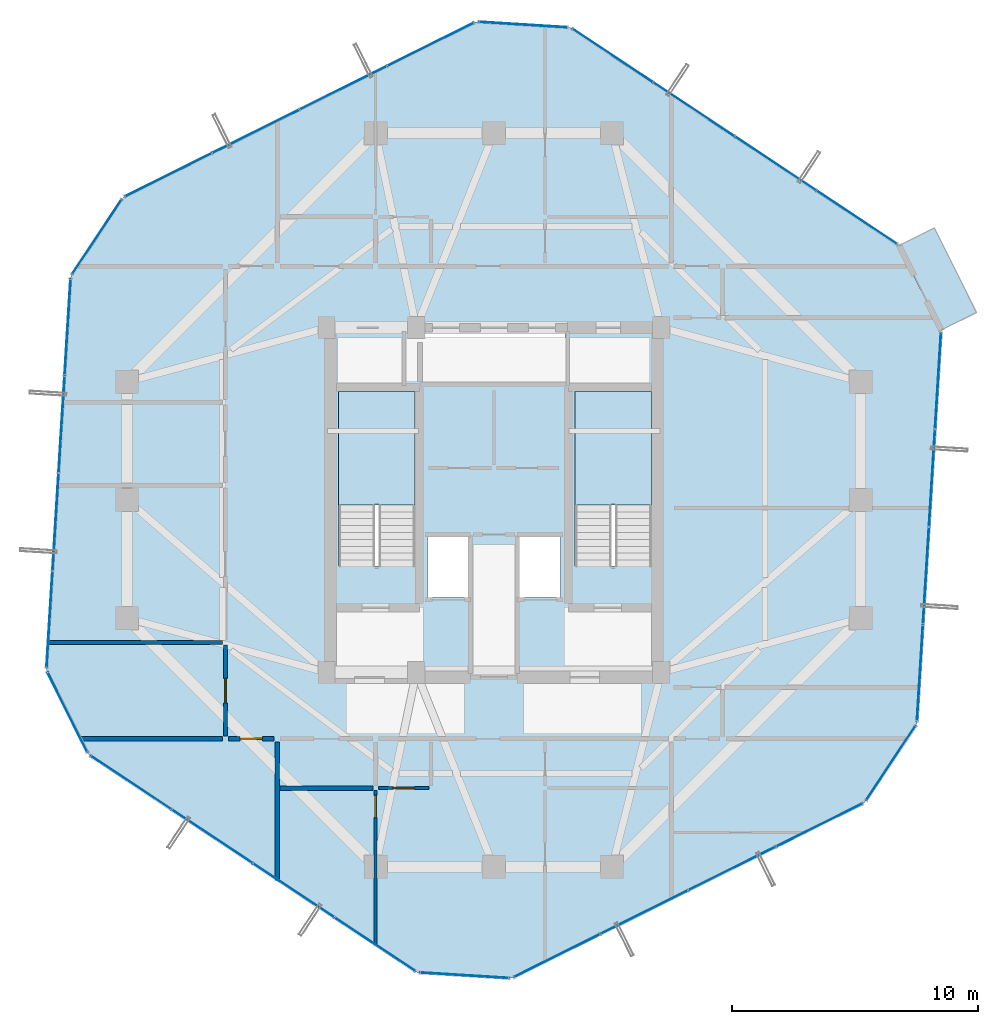
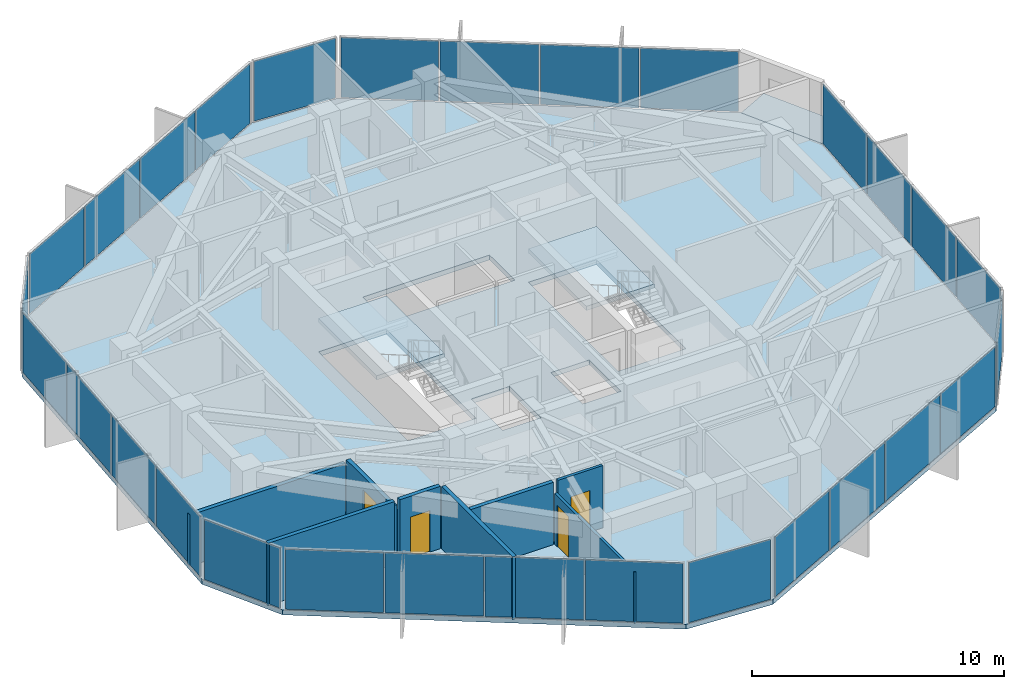
# One storey, part 24 of 29: 29 plates, 8 walls, 4 doors, 4 slabs, 4 openings, 13 elements without a shape of their own.
"""IFC4 building model written with IfcOpenShell, lengths in metres."""

import ifcopenshell
import ifcopenshell.guid

model = None  # the IFC model being written
_history = None  # IfcOwnerHistory: only IFC2X3 demands one
_inside = {}  # id of a spatial element -> (the spatial element, [elements in it])
_under = {}  # id of a project, library or spatial element -> (it, [spatial elements below it])
_declared = {}  # id of a project -> (the project, [libraries it declares])
_typed = {}  # id of a type object -> (the type object, [elements of that type])
_made_of = {}  # id of a material, layer set ... -> (it, [elements and type objects made of it])


def new_model(schema):
    """Start an empty IFC model of exactly this schema.

    Asked for "IFC4X3", IfcOpenShell would pick the latest addendum, in which some entities
    have other attributes; the version numbers below select the first issue.
    IFC2X3 requires an IfcOwnerHistory on every rooted entity: one is made here for all.
    """
    global model, _history
    if schema == "IFC4X3":
        model = ifcopenshell.file(schema_version=(4, 3, 0, 0))
    else:
        model = ifcopenshell.file(schema=schema)
    _inside.clear()
    _under.clear()
    _declared.clear()
    _typed.clear()
    _made_of.clear()
    _history = None
    if model.schema == "IFC2X3":
        org = make("IfcOrganization", Name="unknown")
        user = make(
            "IfcPersonAndOrganization",
            ThePerson=make("IfcPerson", FamilyName="unknown"),
            TheOrganization=org,
        )
        app = make(
            "IfcApplication",
            ApplicationDeveloper=org,
            Version="unknown",
            ApplicationFullName="unknown",
            ApplicationIdentifier="unknown",
        )
        _history = make(
            "IfcOwnerHistory",
            OwningUser=user,
            OwningApplication=app,
            ChangeAction="ADDED",
            CreationDate=0,
        )
    return model


def make(cls, **values):
    """One entity of the class cls with the attributes given. An attribute that is None is left unset."""
    return model.create_entity(
        cls, **{name: value for name, value in values.items() if value is not None}
    )


def rooted(cls, **values):
    """An entity with a GlobalId (a new one), such as an element, a storey or a relation."""
    return make(cls, GlobalId=ifcopenshell.guid.new(), OwnerHistory=_history, **values)


def si_unit(unit_type, name, prefix=None):
    """IfcSIUnit, for example si_unit("LENGTHUNIT", "METRE", prefix="MILLI")."""
    return make("IfcSIUnit", UnitType=unit_type, Prefix=prefix, Name=name)


def assignment(units):
    """IfcUnitAssignment: the units of a project."""
    return None if units is None else make("IfcUnitAssignment", Units=units)


def point(xyz):
    """IfcCartesianPoint."""
    return None if xyz is None else make("IfcCartesianPoint", Coordinates=xyz)


def direction(xyz):
    """IfcDirection."""
    return None if xyz is None else make("IfcDirection", DirectionRatios=xyz)


def frame(location, z_axis=None, x_axis=None):
    """IfcAxis2Placement3D, a coordinate frame: its origin and axes. An axis left out is left unset."""
    return make(
        "IfcAxis2Placement3D",
        Location=point(location),
        Axis=direction(z_axis),
        RefDirection=direction(x_axis),
    )


def frame_2d(location, x_axis=None):
    """IfcAxis2Placement2D, a coordinate frame in the plane: its origin and x axis."""
    return make(
        "IfcAxis2Placement2D", Location=point(location), RefDirection=direction(x_axis)
    )


def origin():
    """The frame at (0, 0, 0) with its axes left unset."""
    return frame((0.0, 0.0, 0.0))


def origin_2d():
    """The frame at (0, 0) in the plane with its x axis left unset."""
    return frame_2d((0.0, 0.0))


def place(relative_to, where):
    """IfcLocalPlacement: puts the frame where relative to a parent placement (None: the world)."""
    return make(
        "IfcLocalPlacement", PlacementRelTo=relative_to, RelativePlacement=where
    )


def context(
    kind, dimensions, precision=None, world=None, true_north=None, identifier=None
):
    """IfcGeometricRepresentationContext, for example the 3D "Model" context."""
    return make(
        "IfcGeometricRepresentationContext",
        ContextIdentifier=identifier,
        ContextType=kind,
        CoordinateSpaceDimension=dimensions,
        Precision=precision,
        WorldCoordinateSystem=world,
        TrueNorth=true_north,
    )


def subcontext(parent, identifier, kind, view, scale=None):
    """IfcGeometricRepresentationSubContext, for example "Body" below "Model"."""
    return make(
        "IfcGeometricRepresentationSubContext",
        ContextIdentifier=identifier,
        ContextType=kind,
        ParentContext=parent,
        TargetScale=scale,
        TargetView=view,
    )


def project(units=None, contexts=None):
    """IfcProject with its units and contexts."""
    return rooted(
        "IfcProject",
        Name="project",
        RepresentationContexts=contexts,
        UnitsInContext=assignment(units),
    )


def spatial(cls, under=None, at=None, **own):
    """A site, building, storey or space (cls), placed at a placement, below another one or the project."""
    s = rooted(cls, ObjectPlacement=at, **own)
    if under is not None:
        _under.setdefault(under.id(), (under, []))[1].append(s)
    return s


def polyline(points):
    """IfcPolyline through the points."""
    return make("IfcPolyline", Points=[point(p) for p in points])


def profile(cls, at=None, kind="AREA", **sizes):
    """A parametric profile (cls). Its sizes go by their IFC names, for example OverallWidth=200.0."""
    return make(cls, ProfileType=kind, Position=at, **sizes)


def rectangle(**sizes):
    """IfcRectangleProfileDef."""
    return profile("IfcRectangleProfileDef", **sizes)


def outline(outer, holes=None, kind="AREA"):
    """IfcArbitraryClosedProfileDef: a profile drawn as a closed curve; with holes, ...WithVoids."""
    if holes is None:
        return make("IfcArbitraryClosedProfileDef", ProfileType=kind, OuterCurve=outer)
    return make(
        "IfcArbitraryProfileDefWithVoids",
        ProfileType=kind,
        OuterCurve=outer,
        InnerCurves=holes,
    )


def extrude(swept, where, along, depth):
    """IfcExtrudedAreaSolid: the profile swept, set in the frame where, extruded along a direction by depth."""
    return make(
        "IfcExtrudedAreaSolid",
        SweptArea=swept,
        Position=where,
        ExtrudedDirection=direction(along),
        Depth=depth,
    )


def shape(context_of_items, identifier, shape_type, items):
    """IfcShapeRepresentation: the items that make up one representation, for example the "Body"."""
    return make(
        "IfcShapeRepresentation",
        ContextOfItems=context_of_items,
        RepresentationIdentifier=identifier,
        RepresentationType=shape_type,
        Items=items,
    )


def source(mapping_origin, context_of_items, identifier, shape_type, items):
    """IfcRepresentationMap: a shape defined once, which mapped items show again and again."""
    return make(
        "IfcRepresentationMap",
        MappingOrigin=mapping_origin,
        MappedRepresentation=shape(context_of_items, identifier, shape_type, items),
    )


def transform(
    local_origin,
    x_axis=None,
    y_axis=None,
    z_axis=None,
    scale=None,
    scale2=None,
    scale3=None,
    uniform=True,
):
    """IfcCartesianTransformationOperator3D, or its non-uniform kind. x_axis, y_axis, z_axis: its Axis1, 2, 3."""
    if uniform:
        return make(
            "IfcCartesianTransformationOperator3D",
            Axis1=direction(x_axis),
            Axis2=direction(y_axis),
            LocalOrigin=point(local_origin),
            Scale=scale,
            Axis3=direction(z_axis),
        )
    return make(
        "IfcCartesianTransformationOperator3DnonUniform",
        Axis1=direction(x_axis),
        Axis2=direction(y_axis),
        LocalOrigin=point(local_origin),
        Scale=scale,
        Axis3=direction(z_axis),
        Scale2=scale2,
        Scale3=scale3,
    )


def mapped(mapping_source, mapping_target):
    """IfcMappedItem: shows the shape of a source again, moved by a transform."""
    return make(
        "IfcMappedItem", MappingSource=mapping_source, MappingTarget=mapping_target
    )


def material(Name=None, Category=None):
    """IfcMaterial."""
    return make("IfcMaterial", Name=Name, Category=Category)


def layer(
    of_material, thickness, ventilated=None, Name=None, Category=None, Priority=None
):
    """IfcMaterialLayer: one layer of a wall or slab, of a material (None: an air gap)."""
    return make(
        "IfcMaterialLayer",
        Material=of_material,
        LayerThickness=thickness,
        IsVentilated=ventilated,
        Name=Name,
        Category=Category,
        Priority=Priority,
    )


def layer_set(layers, Name=None):
    """IfcMaterialLayerSet."""
    return make("IfcMaterialLayerSet", MaterialLayers=layers, LayerSetName=Name)


def made_of(thing, what):
    """Note that an element or type object is made of a material, layer set ...; save() writes the relation."""
    if what is not None:
        _made_of.setdefault(what.id(), (what, []))[1].append(thing)
    return thing


def type_object(cls, material=None, **own):
    """A type object (cls), such as IfcWallType, which elements share."""
    return made_of(rooted(cls, **own), material)


def element(
    cls,
    number,
    at=None,
    inside=None,
    cuts=None,
    type_object=None,
    material=None,
    context=None,
    identifier="Body",
    shape_type=None,
    held_by="IfcProductDefinitionShape",
    body=None,
    shapes=None,
    **own,
):
    """One element of the class cls, such as IfcWall. Its Tag is "e" and its number.

    at: its placement. inside: the storey or other place that contains it. cuts: it is an
    opening in that element (IfcRelVoidsElement). A single representation is given by context,
    identifier, shape_type and body (its items); several are given by shapes. held_by: the class
    of the entity that holds the representations. save() writes the other relations.
    """
    e = rooted(cls, Tag="e%d" % number, ObjectPlacement=at, **own)
    if body is not None:
        shapes = [shape(context, identifier, shape_type, body)]
    if shapes is not None:
        e.Representation = make(held_by, Representations=shapes)
    if inside is not None:
        _inside.setdefault(inside.id(), (inside, []))[1].append(e)
    if cuts is not None:
        rooted(
            "IfcRelVoidsElement", RelatingBuildingElement=cuts, RelatedOpeningElement=e
        )
    if type_object is not None:
        _typed.setdefault(type_object.id(), (type_object, []))[1].append(e)
    return made_of(e, material)


def fill(opening, filler):
    """IfcRelFillsElement: the door or window that sits in an opening."""
    return rooted(
        "IfcRelFillsElement",
        RelatingOpeningElement=opening,
        RelatedBuildingElement=filler,
    )


def aggregate(whole, parts):
    """IfcRelAggregates: a whole, such as a stair, and the parts it consists of."""
    return rooted("IfcRelAggregates", RelatingObject=whole, RelatedObjects=parts)


def save(model, path):
    """Write the relations noted so far, then the file.

    IfcRelAggregates (storeys below a building ...), IfcRelContainedInSpatialStructure (elements
    in a storey), IfcRelDefinesByType, IfcRelAssociatesMaterial and IfcRelDeclares: one each for
    every whole, place, type object, material and project.
    """
    for whole, parts in _under.values():
        aggregate(whole, parts)
    for where, things in _inside.values():
        rooted(
            "IfcRelContainedInSpatialStructure",
            RelatedElements=things,
            RelatingStructure=where,
        )
    for kind, things in _typed.values():
        rooted("IfcRelDefinesByType", RelatedObjects=things, RelatingType=kind)
    for what, things in _made_of.values():
        rooted("IfcRelAssociatesMaterial", RelatedObjects=things, RelatingMaterial=what)
    for by, libraries in _declared.values():
        rooted("IfcRelDeclares", RelatingContext=by, RelatedDefinitions=libraries)
    model.write(path)


model = new_model("IFC4")

# Units and contexts
model_context = context("Model", 3, precision=1e-05, world=origin(), true_north=direction((0.0, 1.0)))
body_context = subcontext(model_context, "Body", "Model", "MODEL_VIEW")
ifc_project = project(units=[si_unit("LENGTHUNIT", "METRE"), si_unit("AREAUNIT", "SQUARE_METRE"), si_unit("VOLUMEUNIT", "CUBIC_METRE"), si_unit("PLANEANGLEUNIT", "RADIAN"), si_unit("MASSUNIT", "GRAM", prefix="KILO")], contexts=[model_context])

# Site, building, storey
site_placement = place(None, origin())
site = spatial("IfcSite", under=ifc_project, at=site_placement, CompositionType="ELEMENT")
building_placement = place(site_placement, origin())
building = spatial("IfcBuilding", under=site, at=building_placement, Name="Veraguas Prism Commons", CompositionType="ELEMENT")
storey_placement = place(building_placement, frame((0.0, 0.0, 218.89990234375)))
storey = spatial("IfcBuildingStorey", under=building, at=storey_placement, Name="L62", CompositionType="ELEMENT", Elevation=218.89990234375)

# Stair, slab
ifc_material_1 = material(Name="Precast concrete C45/55", Category="concrete")
stair_type = type_object("IfcStairType", Name="Dogleg Core Stair 1480W 20R 05", PredefinedType="HALF_TURN_STAIR", material=ifc_material_1)
stair_1_placement = place(storey_placement, origin())
stair_1 = element("IfcStair", 1, at=stair_1_placement, inside=storey, type_object=stair_type, Name="Protected Exit Stair ST-01 L62", PredefinedType="HALF_TURN_STAIR")
ifc_layer_1 = layer(ifc_material_1, 0.199951171875, Name="Precast Stair and Ramp Landing Slab 200", Category="concrete")
ifc_layer_set_1 = layer_set([ifc_layer_1], Name="Precast concrete C45/55")
slab_type_1 = type_object("IfcSlabType", Name="Precast Stair and Ramp Landing Slab 200", PredefinedType="LANDING", material=ifc_layer_set_1)
slab_1_placement = place(storey_placement, frame((0.0, 0.0, 1.425048828125)))
slab_1 = element("IfcSlab", 2, at=slab_1_placement, type_object=slab_type_1, Name="ST-05 Landing 1", PredefinedType="LANDING", context=body_context, shape_type="SweptSolid", body=[
    extrude(outline(polyline([(20.800048828125, 23.800048828125), (20.800048828125, 28.39990234375), (17.68994140625, 28.39990234375), (17.68994140625, 23.800048828125), (20.800048828125, 23.800048828125)])), origin(), (0.0, 0.0, 1.0), 0.199951171875),
])
aggregate(stair_1, [slab_1])

stair_2_placement = place(storey_placement, origin())
stair_2 = element("IfcStair", 3, at=stair_2_placement, inside=storey, type_object=stair_type, Name="Protected Exit Stair ST-02 L62", PredefinedType="HALF_TURN_STAIR")
slab_2_placement = place(storey_placement, frame((0.0, 0.0, 1.425048828125)))
slab_2 = element("IfcSlab", 4, at=slab_2_placement, type_object=slab_type_1, Name="ST-05 Landing 1", PredefinedType="LANDING", context=body_context, shape_type="SweptSolid", body=[
    extrude(outline(polyline([(30.39990234375, 23.800048828125), (30.39990234375, 28.39990234375), (27.2900390625, 28.39990234375), (27.2900390625, 23.800048828125), (30.39990234375, 23.800048828125)])), origin(), (0.0, 0.0, 1.0), 0.199951171875),
])
aggregate(stair_2, [slab_2])

# Slabs
ifc_material_2 = material(Name="Concrete C45/55", Category="concrete")
ifc_layer_2 = layer(ifc_material_2, 0.219970703125, Name="Recessed Loggia and Terrace Slab RC 220", Category="concrete")
ifc_layer_set_2 = layer_set([ifc_layer_2], Name="Concrete C45/55")
slab_type_2 = type_object("IfcSlabType", Name="Recessed Loggia and Terrace Slab RC 220", PredefinedType="FLOOR", material=ifc_layer_set_2)
slab_3_placement = place(storey_placement, frame((0.0, 0.0, -0.219970703125)))
element("IfcSlab", 5, at=slab_3_placement, inside=storey, type_object=slab_type_2, Name="Recessed Corner Loggia L62-C1", PredefinedType="FLOOR", context=body_context, shape_type="SweptSolid", body=[
    extrude(outline(polyline([(42.1533203125, 30.8935546875), (43.603515625, 31.615234375), (41.89501953125, 35.048095703125), (40.444580078125, 34.326171875), (42.1533203125, 30.8935546875)])), origin(), (0.0, 0.0, 1.0), 0.219970703125),
])
ifc_layer_3 = layer(ifc_material_2, 0.235107421875, Name="Tower Upper Residential Floor Slab RC 235", Category="concrete")
ifc_layer_set_3 = layer_set([ifc_layer_3], Name="Concrete C45/55")
slab_type_3 = type_object("IfcSlabType", Name="Tower Upper Residential Floor Slab RC 235", PredefinedType="FLOOR", material=ifc_layer_set_3)
slab_4_placement = place(storey_placement, frame((0.0, 0.0, -0.23486328125)))
element("IfcSlab", 6, at=slab_4_placement, inside=storey, type_object=slab_type_3, Name="Tower Floor Slab L62", PredefinedType="FLOOR", context=body_context, shape_type="SweptSolid", body=[
    extrude(outline(polyline([(42.171142578125, 30.90234375), (40.462646484375, 34.335205078125), (27.10791015625, 43.187744140625), (23.28076171875, 43.424560546875), (8.936767578125, 36.285400390625), (6.818115234375, 33.089599609375), (5.828857421875, 17.09765625), (7.537353515625, 13.664794921875), (20.89208984375, 4.812255859375), (24.71923828125, 4.575439453125), (39.063232421875, 11.714599609375), (41.181884765625, 14.910400390625), (42.171142578125, 30.90234375)]), holes=[polyline([(20.800048828125, 21.31005859375), (20.800048828125, 28.39990234375), (17.68994140625, 28.39990234375), (17.68994140625, 21.31005859375), (20.800048828125, 21.31005859375)]), polyline([(30.39990234375, 21.31005859375), (30.39990234375, 28.39990234375), (27.2900390625, 28.39990234375), (27.2900390625, 21.31005859375), (30.39990234375, 21.31005859375)]), polyline([(21.10009765625, 28.800048828125), (26.89990234375, 28.800048828125), (26.89990234375, 30.800048828125), (21.10009765625, 30.800048828125), (21.10009765625, 28.800048828125)]), polyline([(21.300048828125, 20.050048828125), (23.050048828125, 20.050048828125), (23.050048828125, 22.550048828125), (21.300048828125, 22.550048828125), (21.300048828125, 20.050048828125)]), polyline([(24.949951171875, 20.050048828125), (26.699951171875, 20.050048828125), (26.699951171875, 22.550048828125), (24.949951171875, 22.550048828125), (24.949951171875, 20.050048828125)])]), origin(), (0.0, 0.0, 1.0), 0.23486328125),
])

# Curtain wall, plates
ifc_material_3 = material(Name="Anodised aluminium EN AW-6063 T6", Category="aluminium")
ifc_layer_4 = layer(ifc_material_3, 0.14990234375, Name="Unitised Flush Curtain Wall Zone 3", Category="aluminium")
ifc_layer_set_4 = layer_set([ifc_layer_4], Name="Anodised aluminium EN AW-6063 T6")
curtain_wall_type = type_object("IfcCurtainWallType", Name="Unitised Flush Curtain Wall Zone 3", PredefinedType="NOTDEFINED", material=ifc_layer_set_4)
curtain_wall_1_placement = place(storey_placement, origin())
curtain_wall_1 = element("IfcCurtainWall", 7, at=curtain_wall_1_placement, inside=storey, type_object=curtain_wall_type, Name="Tower Facade Curtain Wall L62-F1", PredefinedType="NOTDEFINED")
ifc_material_4 = material(Name="Laminated low-e glass", Category="glass")
ifc_layer_5 = layer(ifc_material_4, 0.028076171875, Name="Unitised Double Low-E Glazed Panel 28", Category="glass")
ifc_layer_set_5 = layer_set([ifc_layer_5], Name="Laminated low-e glass")
plate_type = type_object("IfcPlateType", Name="Unitised Double Low-E Glazed Panel 28", PredefinedType="CURTAIN_PANEL", material=ifc_layer_set_5)
shared_shape_1 = source(origin(), body_context, "Body", "SweptSolid", [
    extrude(rectangle(XDim=3.885498046875, YDim=0.028076171875, at=origin_2d()), origin(), (0.0, 0.0, 1.0), 2.905029296875),
])
plate_1_placement = place(storey_placement, frame((38.7431640625, 35.474853515625, 0.05517578125), z_axis=(0.0, 0.0, 1.0), x_axis=(-0.833503187151, 0.552514648683, 0.0)))
plate_1 = element("IfcPlate", 8, at=plate_1_placement, type_object=plate_type, Name="CW-Z3 Panel 1.1", PredefinedType="CURTAIN_PANEL", context=body_context, shape_type="MappedRepresentation", body=[
    mapped(shared_shape_1, transform((0.0, 0.0, 0.0), scale=1.0)),
])
plate_2_placement = place(storey_placement, frame((28.8271484375, 42.048095703125, 0.05517578125), z_axis=(0.0, 0.0, 1.0), x_axis=(-0.833503187151, 0.552514648683, 0.0)))
plate_2 = element("IfcPlate", 9, at=plate_2_placement, type_object=plate_type, Name="CW-Z3 Panel 4.1", PredefinedType="CURTAIN_PANEL", context=body_context, shape_type="MappedRepresentation", body=[
    mapped(shared_shape_1, transform((0.0, 0.0, 0.0), scale=1.0)),
])

curtain_wall_2_placement = place(storey_placement, origin())
curtain_wall_2 = element("IfcCurtainWall", 10, at=curtain_wall_2_placement, inside=storey, type_object=curtain_wall_type, Name="Tower Facade Curtain Wall L62-F3", PredefinedType="NOTDEFINED")
plate_3_placement = place(storey_placement, frame((6.69091796875, 31.030517578125, 0.05517578125), z_axis=(0.0, 0.0, 1.0), x_axis=(-0.061745354146, -0.998091935265, 0.0)))
plate_3 = element("IfcPlate", 11, at=plate_3_placement, type_object=plate_type, Name="CW-Z3 Panel 1.1", PredefinedType="CURTAIN_PANEL", context=body_context, shape_type="MappedRepresentation", body=[
    mapped(shared_shape_1, transform((0.0, 0.0, 0.0), scale=1.0)),
])
plate_4_placement = place(storey_placement, frame((5.956298828125, 19.156494140625, 0.05517578125), z_axis=(0.0, 0.0, 1.0), x_axis=(-0.061745354146, -0.998091935265, 0.0)))
plate_4 = element("IfcPlate", 12, at=plate_4_placement, type_object=plate_type, Name="CW-Z3 Panel 4.1", PredefinedType="CURTAIN_PANEL", context=body_context, shape_type="MappedRepresentation", body=[
    mapped(shared_shape_1, transform((0.0, 0.0, 0.0), scale=1.0)),
])

curtain_wall_3_placement = place(storey_placement, origin())
curtain_wall_3 = element("IfcCurtainWall", 13, at=curtain_wall_3_placement, inside=storey, type_object=curtain_wall_type, Name="Tower Facade Curtain Wall L62-F4", PredefinedType="NOTDEFINED")
plate_5_placement = place(storey_placement, frame((9.2568359375, 12.525146484375, 0.05517578125), z_axis=(0.0, 0.0, 1.0), x_axis=(0.833503187151, -0.552514648683, 0.0)))
plate_5 = element("IfcPlate", 14, at=plate_5_placement, type_object=plate_type, Name="CW-Z3 Panel 1.1", PredefinedType="CURTAIN_PANEL", context=body_context, shape_type="MappedRepresentation", body=[
    mapped(shared_shape_1, transform((0.0, 0.0, 0.0), scale=1.0)),
])
plate_6_placement = place(storey_placement, frame((19.1728515625, 5.951904296875, 0.05517578125), z_axis=(0.0, 0.0, 1.0), x_axis=(0.833503187151, -0.552514648683, 0.0)))
plate_6 = element("IfcPlate", 15, at=plate_6_placement, type_object=plate_type, Name="CW-Z3 Panel 4.1", PredefinedType="CURTAIN_PANEL", context=body_context, shape_type="MappedRepresentation", body=[
    mapped(shared_shape_1, transform((0.0, 0.0, 0.0), scale=1.0)),
])

curtain_wall_4_placement = place(storey_placement, origin())
curtain_wall_4 = element("IfcCurtainWall", 16, at=curtain_wall_4_placement, inside=storey, type_object=curtain_wall_type, Name="Tower Facade Curtain Wall L62-F6", PredefinedType="NOTDEFINED")
plate_7_placement = place(storey_placement, frame((41.30908203125, 16.969482421875, 0.05517578125), z_axis=(0.0, 0.0, 1.0), x_axis=(0.061745354146, 0.998091935265, 0.0)))
plate_7 = element("IfcPlate", 17, at=plate_7_placement, type_object=plate_type, Name="CW-Z3 Panel 1.1", PredefinedType="CURTAIN_PANEL", context=body_context, shape_type="MappedRepresentation", body=[
    mapped(shared_shape_1, transform((0.0, 0.0, 0.0), scale=1.0)),
])
plate_8_placement = place(storey_placement, frame((42.043701171875, 28.843505859375, 0.05517578125), z_axis=(0.0, 0.0, 1.0), x_axis=(0.061745354146, 0.998091935265, 0.0)))
plate_8 = element("IfcPlate", 18, at=plate_8_placement, type_object=plate_type, Name="CW-Z3 Panel 4.1", PredefinedType="CURTAIN_PANEL", context=body_context, shape_type="MappedRepresentation", body=[
    mapped(shared_shape_1, transform((0.0, 0.0, 0.0), scale=1.0)),
])

# Plate
shared_shape_2 = source(origin(), body_context, "Body", "SweptSolid", [
    extrude(rectangle(XDim=3.91552734375, YDim=0.028076171875, at=origin_2d()), origin(), (0.0, 0.0, 1.0), 2.905029296875),
])
plate_9_placement = place(storey_placement, frame((35.442138671875, 37.6630859375, 0.05517578125), z_axis=(0.0, 0.0, 1.0), x_axis=(-0.833503187151, 0.552514648683, 0.0)))
plate_9 = element("IfcPlate", 19, at=plate_9_placement, type_object=plate_type, Name="CW-Z3 Panel 2.1", PredefinedType="CURTAIN_PANEL", context=body_context, shape_type="MappedRepresentation", body=[
    mapped(shared_shape_2, transform((0.0, 0.0, 0.0), scale=1.0)),
])

plate_10_placement = place(storey_placement, frame((32.12841796875, 39.859619140625, 0.05517578125), z_axis=(0.0, 0.0, 1.0), x_axis=(-0.833503187151, 0.552514648683, 0.0)))
plate_10 = element("IfcPlate", 20, at=plate_10_placement, type_object=plate_type, Name="CW-Z3 Panel 3.1", PredefinedType="CURTAIN_PANEL", context=body_context, shape_type="MappedRepresentation", body=[
    mapped(shared_shape_2, transform((0.0, 0.0, 0.0), scale=1.0)),
])

aggregate(curtain_wall_1, [plate_1, plate_9, plate_10, plate_2])

# Curtain wall, plates
curtain_wall_5_placement = place(storey_placement, origin())
curtain_wall_5 = element("IfcCurtainWall", 21, at=curtain_wall_5_placement, inside=storey, type_object=curtain_wall_type, Name="Tower Facade Curtain Wall L62-F2", PredefinedType="NOTDEFINED")
plate_11_placement = place(storey_placement, frame((17.888427734375, 40.74072265625, 0.05517578125), z_axis=(0.0, 0.0, 1.0), x_axis=(-0.895243315298, -0.445577609866, 0.0)))
plate_11 = element("IfcPlate", 22, at=plate_11_placement, type_object=plate_type, Name="CW-Z3 Panel 2.1", PredefinedType="CURTAIN_PANEL", context=body_context, shape_type="MappedRepresentation", body=[
    mapped(shared_shape_2, transform((0.0, 0.0, 0.0), scale=1.0)),
])
plate_12_placement = place(storey_placement, frame((14.329345703125, 38.96923828125, 0.05517578125), z_axis=(0.0, 0.0, 1.0), x_axis=(-0.895243315298, -0.445577609866, 0.0)))
plate_12 = element("IfcPlate", 23, at=plate_12_placement, type_object=plate_type, Name="CW-Z3 Panel 3.1", PredefinedType="CURTAIN_PANEL", context=body_context, shape_type="MappedRepresentation", body=[
    mapped(shared_shape_2, transform((0.0, 0.0, 0.0), scale=1.0)),
])

# Plate
plate_13_placement = place(storey_placement, frame((6.4462890625, 27.07763671875, 0.05517578125), z_axis=(0.0, 0.0, 1.0), x_axis=(-0.061745354146, -0.998091935265, 0.0)))
plate_13 = element("IfcPlate", 24, at=plate_13_placement, type_object=plate_type, Name="CW-Z3 Panel 2.1", PredefinedType="CURTAIN_PANEL", context=body_context, shape_type="MappedRepresentation", body=[
    mapped(shared_shape_2, transform((0.0, 0.0, 0.0), scale=1.0)),
])

plate_14_placement = place(storey_placement, frame((6.200927734375, 23.109619140625, 0.05517578125), z_axis=(0.0, 0.0, 1.0), x_axis=(-0.061745354146, -0.998091935265, 0.0)))
plate_14 = element("IfcPlate", 25, at=plate_14_placement, type_object=plate_type, Name="CW-Z3 Panel 3.1", PredefinedType="CURTAIN_PANEL", context=body_context, shape_type="MappedRepresentation", body=[
    mapped(shared_shape_2, transform((0.0, 0.0, 0.0), scale=1.0)),
])

aggregate(curtain_wall_2, [plate_3, plate_13, plate_14, plate_4])

plate_15_placement = place(storey_placement, frame((12.557861328125, 10.3369140625, 0.05517578125), z_axis=(0.0, 0.0, 1.0), x_axis=(0.833503187151, -0.552514648683, 0.0)))
plate_15 = element("IfcPlate", 26, at=plate_15_placement, type_object=plate_type, Name="CW-Z3 Panel 2.1", PredefinedType="CURTAIN_PANEL", context=body_context, shape_type="MappedRepresentation", body=[
    mapped(shared_shape_2, transform((0.0, 0.0, 0.0), scale=1.0)),
])

plate_16_placement = place(storey_placement, frame((15.87158203125, 8.140380859375, 0.05517578125), z_axis=(0.0, 0.0, 1.0), x_axis=(0.833503187151, -0.552514648683, 0.0)))
plate_16 = element("IfcPlate", 27, at=plate_16_placement, type_object=plate_type, Name="CW-Z3 Panel 3.1", PredefinedType="CURTAIN_PANEL", context=body_context, shape_type="MappedRepresentation", body=[
    mapped(shared_shape_2, transform((0.0, 0.0, 0.0), scale=1.0)),
])

aggregate(curtain_wall_3, [plate_5, plate_15, plate_16, plate_6])

# Curtain wall, plates
curtain_wall_6_placement = place(storey_placement, origin())
curtain_wall_6 = element("IfcCurtainWall", 28, at=curtain_wall_6_placement, inside=storey, type_object=curtain_wall_type, Name="Tower Facade Curtain Wall L62-F5", PredefinedType="NOTDEFINED")
plate_17_placement = place(storey_placement, frame((30.111572265625, 7.25927734375, 0.05517578125), z_axis=(0.0, 0.0, 1.0), x_axis=(0.895243315298, 0.445577609866, 0.0)))
plate_17 = element("IfcPlate", 29, at=plate_17_placement, type_object=plate_type, Name="CW-Z3 Panel 2.1", PredefinedType="CURTAIN_PANEL", context=body_context, shape_type="MappedRepresentation", body=[
    mapped(shared_shape_2, transform((0.0, 0.0, 0.0), scale=1.0)),
])
plate_18_placement = place(storey_placement, frame((33.670654296875, 9.03076171875, 0.05517578125), z_axis=(0.0, 0.0, 1.0), x_axis=(0.895243315298, 0.445577609866, 0.0)))
plate_18 = element("IfcPlate", 30, at=plate_18_placement, type_object=plate_type, Name="CW-Z3 Panel 3.1", PredefinedType="CURTAIN_PANEL", context=body_context, shape_type="MappedRepresentation", body=[
    mapped(shared_shape_2, transform((0.0, 0.0, 0.0), scale=1.0)),
])

# Plate
plate_19_placement = place(storey_placement, frame((41.5537109375, 20.92236328125, 0.05517578125), z_axis=(0.0, 0.0, 1.0), x_axis=(0.061745354146, 0.998091935265, 0.0)))
plate_19 = element("IfcPlate", 31, at=plate_19_placement, type_object=plate_type, Name="CW-Z3 Panel 2.1", PredefinedType="CURTAIN_PANEL", context=body_context, shape_type="MappedRepresentation", body=[
    mapped(shared_shape_2, transform((0.0, 0.0, 0.0), scale=1.0)),
])

plate_20_placement = place(storey_placement, frame((41.799072265625, 24.890380859375, 0.05517578125), z_axis=(0.0, 0.0, 1.0), x_axis=(0.061745354146, 0.998091935265, 0.0)))
plate_20 = element("IfcPlate", 32, at=plate_20_placement, type_object=plate_type, Name="CW-Z3 Panel 3.1", PredefinedType="CURTAIN_PANEL", context=body_context, shape_type="MappedRepresentation", body=[
    mapped(shared_shape_2, transform((0.0, 0.0, 0.0), scale=1.0)),
])

aggregate(curtain_wall_4, [plate_7, plate_19, plate_20, plate_8])

shared_shape_3 = source(origin(), body_context, "Body", "SweptSolid", [
    extrude(rectangle(XDim=3.8857421875, YDim=0.028076171875, at=origin_2d()), origin(), (0.0, 0.0, 1.0), 2.905029296875),
])
plate_21_placement = place(storey_placement, frame((21.43408203125, 42.50537109375, 0.05517578125), z_axis=(0.0, 0.0, 1.0), x_axis=(-0.895243315298, -0.445577609866, 0.0)))
plate_21 = element("IfcPlate", 33, at=plate_21_placement, type_object=plate_type, Name="CW-Z3 Panel 1.1", PredefinedType="CURTAIN_PANEL", context=body_context, shape_type="MappedRepresentation", body=[
    mapped(shared_shape_3, transform((0.0, 0.0, 0.0), scale=1.0)),
])

plate_22_placement = place(storey_placement, frame((10.783447265625, 37.20458984375, 0.05517578125), z_axis=(0.0, 0.0, 1.0), x_axis=(-0.895243315298, -0.445577609866, 0.0)))
plate_22 = element("IfcPlate", 34, at=plate_22_placement, type_object=plate_type, Name="CW-Z3 Panel 4.1", PredefinedType="CURTAIN_PANEL", context=body_context, shape_type="MappedRepresentation", body=[
    mapped(shared_shape_3, transform((0.0, 0.0, 0.0), scale=1.0)),
])

aggregate(curtain_wall_5, [plate_21, plate_11, plate_12, plate_22])

plate_23_placement = place(storey_placement, frame((26.56591796875, 5.49462890625, 0.05517578125), z_axis=(0.0, 0.0, 1.0), x_axis=(0.895243315298, 0.445577609866, 0.0)))
plate_23 = element("IfcPlate", 35, at=plate_23_placement, type_object=plate_type, Name="CW-Z3 Panel 1.1", PredefinedType="CURTAIN_PANEL", context=body_context, shape_type="MappedRepresentation", body=[
    mapped(shared_shape_3, transform((0.0, 0.0, 0.0), scale=1.0)),
])

plate_24_placement = place(storey_placement, frame((37.216552734375, 10.79541015625, 0.05517578125), z_axis=(0.0, 0.0, 1.0), x_axis=(0.895243315298, 0.445577609866, 0.0)))
plate_24 = element("IfcPlate", 36, at=plate_24_placement, type_object=plate_type, Name="CW-Z3 Panel 4.1", PredefinedType="CURTAIN_PANEL", context=body_context, shape_type="MappedRepresentation", body=[
    mapped(shared_shape_3, transform((0.0, 0.0, 0.0), scale=1.0)),
])

aggregate(curtain_wall_6, [plate_23, plate_17, plate_18, plate_24])

# Curtain wall, plate
curtain_wall_7_placement = place(storey_placement, origin())
curtain_wall_7 = element("IfcCurtainWall", 37, at=curtain_wall_7_placement, inside=storey, type_object=curtain_wall_type, Name="Chamfer Curtain Wall L62-C3", PredefinedType="NOTDEFINED")
shared_shape_4 = source(origin(), body_context, "Body", "SweptSolid", [
    extrude(rectangle(XDim=3.59423828125, YDim=0.028076171875, at=origin_2d()), origin(), (0.0, 0.0, 1.0), 2.905029296875),
])
plate_25_placement = place(storey_placement, frame((7.87744140625, 34.6875, 0.05517578125), z_axis=(0.0, 0.0, 1.0), x_axis=(-0.552511739205, -0.833505115786, 0.0)))
plate_25 = element("IfcPlate", 38, at=plate_25_placement, type_object=plate_type, Name="CW-Z3 Panel 1.1", PredefinedType="CURTAIN_PANEL", context=body_context, shape_type="MappedRepresentation", body=[
    mapped(shared_shape_4, transform((0.0, 0.0, 0.0), scale=1.0)),
])
aggregate(curtain_wall_7, [plate_25])

curtain_wall_8_placement = place(storey_placement, origin())
curtain_wall_8 = element("IfcCurtainWall", 39, at=curtain_wall_8_placement, inside=storey, type_object=curtain_wall_type, Name="Chamfer Curtain Wall L62-C6", PredefinedType="NOTDEFINED")
plate_26_placement = place(storey_placement, frame((40.12255859375, 13.3125, 0.05517578125), z_axis=(0.0, 0.0, 1.0), x_axis=(0.552511739205, 0.833505115786, 0.0)))
plate_26 = element("IfcPlate", 40, at=plate_26_placement, type_object=plate_type, Name="CW-Z3 Panel 1.1", PredefinedType="CURTAIN_PANEL", context=body_context, shape_type="MappedRepresentation", body=[
    mapped(shared_shape_4, transform((0.0, 0.0, 0.0), scale=1.0)),
])
aggregate(curtain_wall_8, [plate_26])

curtain_wall_9_placement = place(storey_placement, origin())
curtain_wall_9 = element("IfcCurtainWall", 41, at=curtain_wall_9_placement, inside=storey, type_object=curtain_wall_type, Name="Chamfer Curtain Wall L62-C2", PredefinedType="NOTDEFINED")
shared_shape_5 = source(origin(), body_context, "Body", "SweptSolid", [
    extrude(rectangle(XDim=3.594482421875, YDim=0.028076171875, at=origin_2d()), origin(), (0.0, 0.0, 1.0), 2.905029296875),
])
plate_27_placement = place(storey_placement, frame((25.1943359375, 43.30615234375, 0.05517578125), z_axis=(0.0, 0.0, 1.0), x_axis=(-0.99809107304, 0.061759290132, 0.0)))
plate_27 = element("IfcPlate", 42, at=plate_27_placement, type_object=plate_type, Name="CW-Z3 Panel 1.1", PredefinedType="CURTAIN_PANEL", context=body_context, shape_type="MappedRepresentation", body=[
    mapped(shared_shape_5, transform((0.0, 0.0, 0.0), scale=1.0)),
])
aggregate(curtain_wall_9, [plate_27])

curtain_wall_10_placement = place(storey_placement, origin())
curtain_wall_10 = element("IfcCurtainWall", 43, at=curtain_wall_10_placement, inside=storey, type_object=curtain_wall_type, Name="Chamfer Curtain Wall L62-C4", PredefinedType="NOTDEFINED")
plate_28_placement = place(storey_placement, frame((6.68310546875, 15.38134765625, 0.05517578125), z_axis=(0.0, 0.0, 1.0), x_axis=(0.445586984808, -0.895238649171, 0.0)))
plate_28 = element("IfcPlate", 44, at=plate_28_placement, type_object=plate_type, Name="CW-Z3 Panel 1.1", PredefinedType="CURTAIN_PANEL", context=body_context, shape_type="MappedRepresentation", body=[
    mapped(shared_shape_5, transform((0.0, 0.0, 0.0), scale=1.0)),
])
aggregate(curtain_wall_10, [plate_28])

curtain_wall_11_placement = place(storey_placement, origin())
curtain_wall_11 = element("IfcCurtainWall", 45, at=curtain_wall_11_placement, inside=storey, type_object=curtain_wall_type, Name="Chamfer Curtain Wall L62-C5", PredefinedType="NOTDEFINED")
plate_29_placement = place(storey_placement, frame((22.8056640625, 4.69384765625, 0.05517578125), z_axis=(0.0, 0.0, 1.0), x_axis=(0.99809107304, -0.061759290132, 0.0)))
plate_29 = element("IfcPlate", 46, at=plate_29_placement, type_object=plate_type, Name="CW-Z3 Panel 1.1", PredefinedType="CURTAIN_PANEL", context=body_context, shape_type="MappedRepresentation", body=[
    mapped(shared_shape_5, transform((0.0, 0.0, 0.0), scale=1.0)),
])
aggregate(curtain_wall_11, [plate_29])

# Walls
ifc_material_5 = material(Name="Autoclaved aerated masonry block 10 MPa", Category="masonry")
ifc_layer_6 = layer(ifc_material_5, 0.179931640625, Name="Corridor and Inter-Tenancy Partition 180", Category="masonry")
ifc_layer_set_6 = layer_set([ifc_layer_6], Name="Autoclaved aerated masonry block 10 MPa")
wall_type_1 = type_object("IfcWallType", Name="Corridor and Inter-Tenancy Partition 180", PredefinedType="PARTITIONING", material=ifc_layer_set_6)
wall_1_placement = place(storey_placement, frame((15.199951171875, 14.179931640625, 0.0), z_axis=(0.0, 0.0, 1.0), x_axis=(0.0, -1.0, 0.0)))
element("IfcWall", 47, at=wall_1_placement, inside=storey, type_object=wall_type_1, Name="WL-L62-PT001", PredefinedType="PARTITIONING", context=body_context, shape_type="SweptSolid", body=[
    extrude(rectangle(XDim=5.630615234375, YDim=0.179931640625, at=frame_2d((2.8154296875, 0.0))), origin(), (0.0, 0.0, 1.0), 3.01513671875),
])
wall_2_placement = place(storey_placement, frame((15.320068359375, 12.300048828125, 0.0), z_axis=(0.0, 0.0, 1.0), x_axis=(1.0, 0.0, 0.0)))
element("IfcWall", 48, at=wall_2_placement, inside=storey, type_object=wall_type_1, Name="WL-L62-PT005", PredefinedType="PARTITIONING", context=body_context, shape_type="SweptSolid", body=[
    extrude(rectangle(XDim=3.780029296875, YDim=0.179931640625, at=frame_2d((1.89013671875, 0.0))), origin(), (0.0, 0.0, 1.0), 3.01513671875),
])
wall_3_placement = place(storey_placement, frame((12.97998046875, 14.300048828125, 0.0), z_axis=(0.0, 0.0, 1.0), x_axis=(-1.0, 0.0, 0.0)))
element("IfcWall", 49, at=wall_3_placement, inside=storey, type_object=wall_type_1, Name="WL-L62-PT025", PredefinedType="PARTITIONING", context=body_context, shape_type="SweptSolid", body=[
    extrude(rectangle(XDim=5.792236328125, YDim=0.179931640625, at=frame_2d((2.89599609375, 0.0))), origin(), (0.0, 0.0, 1.0), 3.01513671875),
])

# Wall, opening, door
wall_4_placement = place(storey_placement, frame((13.10009765625, 14.409912109375, 0.0), z_axis=(0.0, 0.0, 1.0), x_axis=(0.0, 1.0, 0.0)))
wall_4 = element("IfcWall", 50, at=wall_4_placement, inside=storey, type_object=wall_type_1, Name="WL-L62-PT027", PredefinedType="PARTITIONING", context=body_context, shape_type="SweptSolid", body=[
    extrude(rectangle(XDim=3.692138671875, YDim=0.179931640625, at=frame_2d((1.84619140625, 0.0))), origin(), (0.0, 0.0, 1.0), 2.662109375),
])
opening_1_placement = place(wall_4_placement, frame((1.345947265625, 0.0, 0.0)))
opening_1 = element("IfcOpeningElement", 51, at=opening_1_placement, cuts=wall_4, Name="Opening DR-13", PredefinedType="OPENING", context=body_context, shape_type="SweptSolid", body=[
    extrude(rectangle(XDim=1.0, YDim=2.010009765625, at=frame_2d((0.5, 1.0048828125))), frame((0.0, 0.099853515625, 0.0), z_axis=(0.0, -1.0, 0.0), x_axis=(1.0, 0.0, 0.0)), (0.0, 0.0, 1.0), 0.199951171875),
])
ifc_material_6 = material(Name="Steel fire-rated door assembly", Category="steel")
door_type_1 = type_object("IfcDoorType", Name="Core Accessible WC and Clinic Fire Door 1000x2010", OperationType="NOTDEFINED", PredefinedType="DOOR", material=ifc_material_6)
shared_shape_6 = source(origin(), body_context, "Body", "SweptSolid", [
    extrude(rectangle(XDim=1.0, YDim=2.010009765625, at=frame_2d((0.5, 1.0048828125))), frame((0.0, 0.02490234375, 0.0), z_axis=(0.0, -1.0, 0.0), x_axis=(1.0, 0.0, 0.0)), (0.0, 0.0, 1.0), 0.050048828125),
])
door_1_placement = place(opening_1_placement, origin())
door_1 = element("IfcDoor", 52, at=door_1_placement, inside=storey, type_object=door_type_1, Name="Community Co-op Kitchen Door", OperationType="SINGLE_SWING_RIGHT", OverallHeight=2.010009765625, OverallWidth=1.0, PredefinedType="DOOR", context=body_context, shape_type="MappedRepresentation", body=[
    mapped(shared_shape_6, transform((0.0, 0.0, 0.0), scale=1.0)),
])
fill(opening_1, door_1)

# Wall
wall_5_placement = place(storey_placement, frame((12.97998046875, 18.2119140625, 0.0), z_axis=(0.0, 0.0, 1.0), x_axis=(-1.0, 0.0, 0.0)))
element("IfcWall", 53, at=wall_5_placement, inside=storey, type_object=wall_type_1, Name="WL-L62-PT029", PredefinedType="PARTITIONING", context=body_context, shape_type="SweptSolid", body=[
    extrude(rectangle(XDim=7.112060546875, YDim=0.179931640625, at=frame_2d((3.55615234375, 0.0))), origin(), (0.0, 0.0, 1.0), 2.468994140625),
])

# Wall, opening, door
wall_6_placement = place(storey_placement, frame((13.219970703125, 14.300048828125, 0.0), z_axis=(0.0, 0.0, 1.0), x_axis=(1.0, 0.0, 0.0)))
wall_6 = element("IfcWall", 54, at=wall_6_placement, inside=storey, type_object=wall_type_1, Name="WL-L62-PT041", PredefinedType="PARTITIONING", context=body_context, shape_type="SweptSolid", body=[
    extrude(rectangle(XDim=1.860107421875, YDim=0.179931640625, at=frame_2d((0.93017578125, 0.0))), origin(), (0.0, 0.0, 1.0), 3.01513671875),
])
opening_2_placement = place(wall_6_placement, frame((0.47998046875, 0.0, 0.0)))
opening_2 = element("IfcOpeningElement", 55, at=opening_2_placement, cuts=wall_6, Name="Opening DR-14", PredefinedType="OPENING", context=body_context, shape_type="SweptSolid", body=[
    extrude(rectangle(XDim=0.89990234375, YDim=2.010009765625, at=frame_2d((0.449951171875, 1.0048828125))), frame((0.0, 0.099853515625, 0.0), z_axis=(0.0, -1.0, 0.0), x_axis=(1.0, 0.0, 0.0)), (0.0, 0.0, 1.0), 0.199951171875),
])
door_type_2 = type_object("IfcDoorType", Name="Core Service Room Fire Door 900x2010", OperationType="NOTDEFINED", PredefinedType="DOOR", material=ifc_material_6)
shared_shape_7 = source(origin(), body_context, "Body", "SweptSolid", [
    extrude(rectangle(XDim=0.89990234375, YDim=2.010009765625, at=frame_2d((0.449951171875, 1.0048828125))), frame((0.0, 0.02490234375, 0.0), z_axis=(0.0, -1.0, 0.0), x_axis=(1.0, 0.0, 0.0)), (0.0, 0.0, 1.0), 0.050048828125),
])
door_2_placement = place(opening_2_placement, origin())
door_2 = element("IfcDoor", 56, at=door_2_placement, inside=storey, type_object=door_type_2, Name="Residents Corner Study Room SW Door", OperationType="SINGLE_SWING_RIGHT", OverallHeight=2.010009765625, OverallWidth=0.89990234375, PredefinedType="DOOR", context=body_context, shape_type="MappedRepresentation", body=[
    mapped(shared_shape_7, transform((0.0, 0.0, 0.0), scale=1.0)),
])
fill(opening_2, door_2)

ifc_material_7 = material(Name="Lightweight acoustic gypsum board")
ifc_layer_7 = layer(ifc_material_7, 0.125, Name="Internal Apartment Room Partition 125")
ifc_layer_set_7 = layer_set([ifc_layer_7], Name="Lightweight acoustic gypsum board")
wall_type_2 = type_object("IfcWallType", Name="Internal Apartment Room Partition 125", PredefinedType="PARTITIONING", material=ifc_layer_set_7)
wall_7_placement = place(storey_placement, frame((19.199951171875, 12.199951171875, 0.0), z_axis=(0.0, 0.0, 1.0), x_axis=(0.0, -1.0, 0.0)))
wall_7 = element("IfcWall", 57, at=wall_7_placement, inside=storey, type_object=wall_type_2, Name="WL-L62-PT007", PredefinedType="PARTITIONING", context=body_context, shape_type="SweptSolid", body=[
    extrude(rectangle(XDim=6.302001953125, YDim=0.125, at=frame_2d((3.15087890625, 0.0))), origin(), (0.0, 0.0, 1.0), 2.468994140625),
])
opening_3_placement = place(wall_7_placement, frame((0.199951171875, 0.0, 0.0)))
opening_3 = element("IfcOpeningElement", 58, at=opening_3_placement, cuts=wall_7, Name="Opening DR-02", PredefinedType="OPENING", context=body_context, shape_type="SweptSolid", body=[
    extrude(rectangle(XDim=0.89990234375, YDim=2.010009765625, at=frame_2d((0.449951171875, 1.0048828125))), frame((0.0, 0.072509765625, 0.0), z_axis=(0.0, -1.0, 0.0), x_axis=(1.0, 0.0, 0.0)), (0.0, 0.0, 1.0), 0.14501953125),
])
ifc_material_8 = material(Name="Timber solid core hardwood", Category="wood")
door_type_3 = type_object("IfcDoorType", Name="Internal Habitable Room Door 900x2010", OperationType="NOTDEFINED", PredefinedType="DOOR", material=ifc_material_8)
door_3_placement = place(opening_3_placement, origin())
door_3 = element("IfcDoor", 59, at=door_3_placement, inside=storey, type_object=door_type_3, Name="Flat 62A Bedroom 2 Door", OperationType="SINGLE_SWING_RIGHT", OverallHeight=2.010009765625, OverallWidth=0.89990234375, PredefinedType="DOOR", context=body_context, shape_type="MappedRepresentation", body=[
    mapped(shared_shape_7, transform((0.0, 0.0, 0.0), scale=1.0)),
])
fill(opening_3, door_3)

wall_8_placement = place(storey_placement, frame((19.320068359375, 12.300048828125, 0.0), z_axis=(0.0, 0.0, 1.0), x_axis=(1.0, 0.0, 0.0)))
wall_8 = element("IfcWall", 60, at=wall_8_placement, inside=storey, type_object=wall_type_2, Name="WL-L62-PT009", PredefinedType="PARTITIONING", context=body_context, shape_type="SweptSolid", body=[
    extrude(rectangle(XDim=2.050048828125, YDim=0.125, at=frame_2d((1.02490234375, 0.0))), origin(), (0.0, 0.0, 1.0), 3.01513671875),
])
opening_4_placement = place(wall_8_placement, frame((0.594970703125, 0.0, 0.0)))
opening_4 = element("IfcOpeningElement", 61, at=opening_4_placement, cuts=wall_8, Name="Opening DR-03", PredefinedType="OPENING", context=body_context, shape_type="SweptSolid", body=[
    extrude(rectangle(XDim=0.860107421875, YDim=2.010009765625, at=frame_2d((0.43017578125, 1.0048828125))), frame((0.0, 0.072509765625, 0.0), z_axis=(0.0, -1.0, 0.0), x_axis=(1.0, 0.0, 0.0)), (0.0, 0.0, 1.0), 0.14501953125),
])
ifc_material_9 = material(Name="Timber moisture-resistant leaf", Category="wood")
door_type_4 = type_object("IfcDoorType", Name="Internal Bathroom Door 860x2010", OperationType="NOTDEFINED", PredefinedType="DOOR", material=ifc_material_9)
shared_shape_8 = source(origin(), body_context, "Body", "SweptSolid", [
    extrude(rectangle(XDim=0.860107421875, YDim=2.010009765625, at=frame_2d((0.43017578125, 1.0048828125))), frame((0.0, 0.02490234375, 0.0), z_axis=(0.0, -1.0, 0.0), x_axis=(1.0, 0.0, 0.0)), (0.0, 0.0, 1.0), 0.050048828125),
])
door_4_placement = place(opening_4_placement, origin())
door_4 = element("IfcDoor", 62, at=door_4_placement, inside=storey, type_object=door_type_4, Name="Flat 62A Bathroom Door", OperationType="SINGLE_SWING_LEFT", OverallHeight=2.010009765625, OverallWidth=0.860107421875, PredefinedType="DOOR", context=body_context, shape_type="MappedRepresentation", body=[
    mapped(shared_shape_8, transform((0.0, 0.0, 0.0), scale=1.0)),
])
fill(opening_4, door_4)

save(model, "model.ifc")
